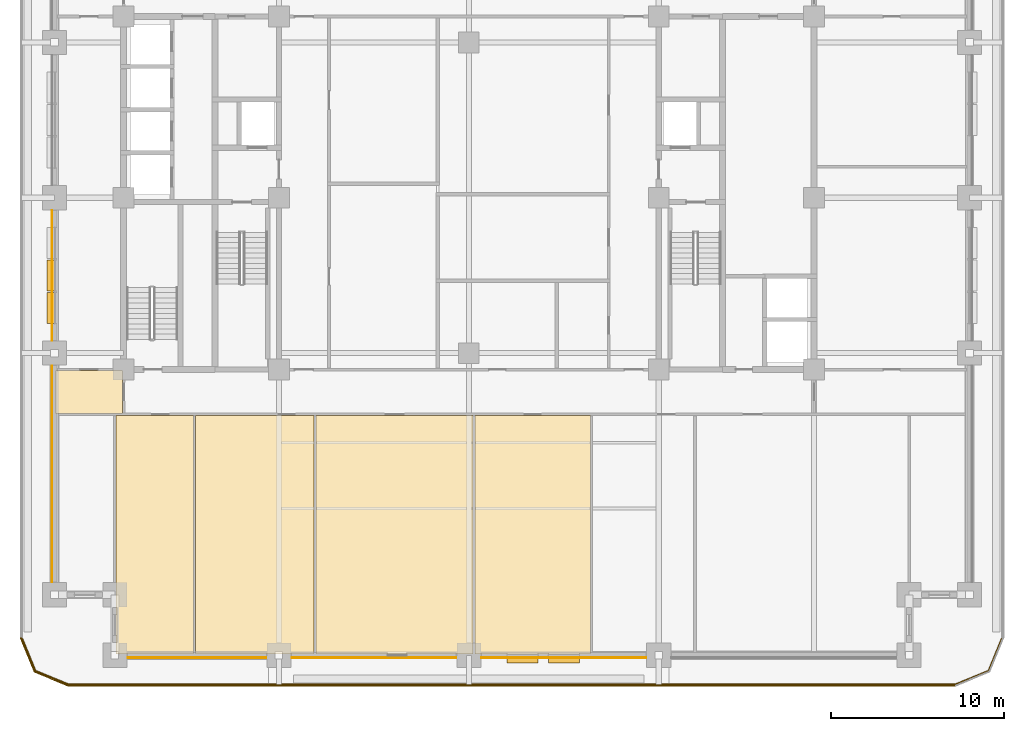
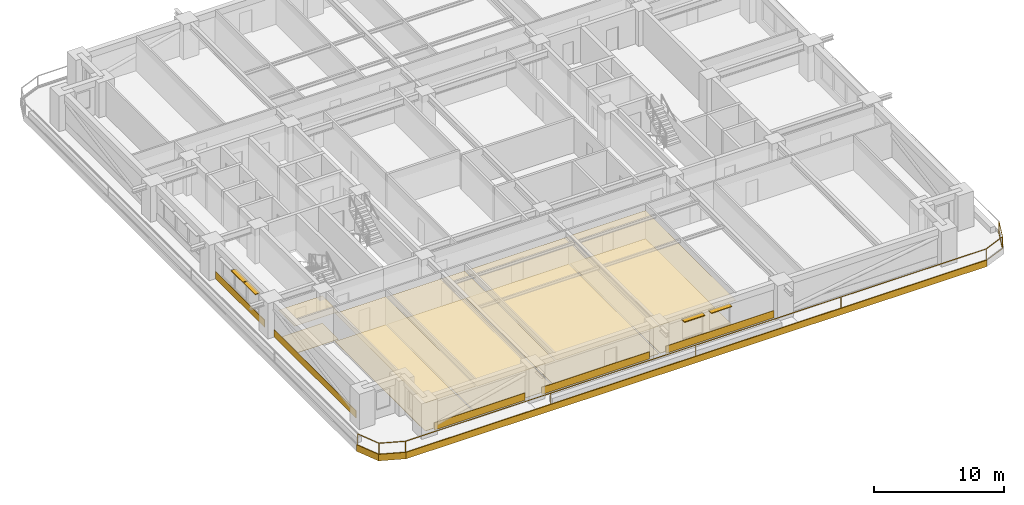
# One storey, part 7 of 14: 18 coverings, 4 shading devices, 1 railing.
"""IFC4 building model written with IfcOpenShell, lengths in metres."""

import ifcopenshell
import ifcopenshell.guid

model = None  # the IFC model being written
_history = None  # IfcOwnerHistory: only IFC2X3 demands one
_inside = {}  # id of a spatial element -> (the spatial element, [elements in it])
_under = {}  # id of a project, library or spatial element -> (it, [spatial elements below it])
_declared = {}  # id of a project -> (the project, [libraries it declares])
_typed = {}  # id of a type object -> (the type object, [elements of that type])
_made_of = {}  # id of a material, layer set ... -> (it, [elements and type objects made of it])


def new_model(schema):
    """Start an empty IFC model of exactly this schema.

    Asked for "IFC4X3", IfcOpenShell would pick the latest addendum, in which some entities
    have other attributes; the version numbers below select the first issue.
    IFC2X3 requires an IfcOwnerHistory on every rooted entity: one is made here for all.
    """
    global model, _history
    if schema == "IFC4X3":
        model = ifcopenshell.file(schema_version=(4, 3, 0, 0))
    else:
        model = ifcopenshell.file(schema=schema)
    _inside.clear()
    _under.clear()
    _declared.clear()
    _typed.clear()
    _made_of.clear()
    _history = None
    if model.schema == "IFC2X3":
        org = make("IfcOrganization", Name="unknown")
        user = make(
            "IfcPersonAndOrganization",
            ThePerson=make("IfcPerson", FamilyName="unknown"),
            TheOrganization=org,
        )
        app = make(
            "IfcApplication",
            ApplicationDeveloper=org,
            Version="unknown",
            ApplicationFullName="unknown",
            ApplicationIdentifier="unknown",
        )
        _history = make(
            "IfcOwnerHistory",
            OwningUser=user,
            OwningApplication=app,
            ChangeAction="ADDED",
            CreationDate=0,
        )
    return model


def make(cls, **values):
    """One entity of the class cls with the attributes given. An attribute that is None is left unset."""
    return model.create_entity(
        cls, **{name: value for name, value in values.items() if value is not None}
    )


def rooted(cls, **values):
    """An entity with a GlobalId (a new one), such as an element, a storey or a relation."""
    return make(cls, GlobalId=ifcopenshell.guid.new(), OwnerHistory=_history, **values)


def si_unit(unit_type, name, prefix=None):
    """IfcSIUnit, for example si_unit("LENGTHUNIT", "METRE", prefix="MILLI")."""
    return make("IfcSIUnit", UnitType=unit_type, Prefix=prefix, Name=name)


def assignment(units):
    """IfcUnitAssignment: the units of a project."""
    return None if units is None else make("IfcUnitAssignment", Units=units)


def point(xyz):
    """IfcCartesianPoint."""
    return None if xyz is None else make("IfcCartesianPoint", Coordinates=xyz)


def direction(xyz):
    """IfcDirection."""
    return None if xyz is None else make("IfcDirection", DirectionRatios=xyz)


def frame(location, z_axis=None, x_axis=None):
    """IfcAxis2Placement3D, a coordinate frame: its origin and axes. An axis left out is left unset."""
    return make(
        "IfcAxis2Placement3D",
        Location=point(location),
        Axis=direction(z_axis),
        RefDirection=direction(x_axis),
    )


def frame_2d(location, x_axis=None):
    """IfcAxis2Placement2D, a coordinate frame in the plane: its origin and x axis."""
    return make(
        "IfcAxis2Placement2D", Location=point(location), RefDirection=direction(x_axis)
    )


def origin():
    """The frame at (0, 0, 0) with its axes left unset."""
    return frame((0.0, 0.0, 0.0))


def origin_2d():
    """The frame at (0, 0) in the plane with its x axis left unset."""
    return frame_2d((0.0, 0.0))


def place(relative_to, where):
    """IfcLocalPlacement: puts the frame where relative to a parent placement (None: the world)."""
    return make(
        "IfcLocalPlacement", PlacementRelTo=relative_to, RelativePlacement=where
    )


def context(
    kind, dimensions, precision=None, world=None, true_north=None, identifier=None
):
    """IfcGeometricRepresentationContext, for example the 3D "Model" context."""
    return make(
        "IfcGeometricRepresentationContext",
        ContextIdentifier=identifier,
        ContextType=kind,
        CoordinateSpaceDimension=dimensions,
        Precision=precision,
        WorldCoordinateSystem=world,
        TrueNorth=true_north,
    )


def subcontext(parent, identifier, kind, view, scale=None):
    """IfcGeometricRepresentationSubContext, for example "Body" below "Model"."""
    return make(
        "IfcGeometricRepresentationSubContext",
        ContextIdentifier=identifier,
        ContextType=kind,
        ParentContext=parent,
        TargetScale=scale,
        TargetView=view,
    )


def project(units=None, contexts=None):
    """IfcProject with its units and contexts."""
    return rooted(
        "IfcProject",
        Name="project",
        RepresentationContexts=contexts,
        UnitsInContext=assignment(units),
    )


def spatial(cls, under=None, at=None, **own):
    """A site, building, storey or space (cls), placed at a placement, below another one or the project."""
    s = rooted(cls, ObjectPlacement=at, **own)
    if under is not None:
        _under.setdefault(under.id(), (under, []))[1].append(s)
    return s


def polyline(points):
    """IfcPolyline through the points."""
    return make("IfcPolyline", Points=[point(p) for p in points])


def profile(cls, at=None, kind="AREA", **sizes):
    """A parametric profile (cls). Its sizes go by their IFC names, for example OverallWidth=200.0."""
    return make(cls, ProfileType=kind, Position=at, **sizes)


def rectangle(**sizes):
    """IfcRectangleProfileDef."""
    return profile("IfcRectangleProfileDef", **sizes)


def outline(outer, holes=None, kind="AREA"):
    """IfcArbitraryClosedProfileDef: a profile drawn as a closed curve; with holes, ...WithVoids."""
    if holes is None:
        return make("IfcArbitraryClosedProfileDef", ProfileType=kind, OuterCurve=outer)
    return make(
        "IfcArbitraryProfileDefWithVoids",
        ProfileType=kind,
        OuterCurve=outer,
        InnerCurves=holes,
    )


def extrude(swept, where, along, depth):
    """IfcExtrudedAreaSolid: the profile swept, set in the frame where, extruded along a direction by depth."""
    return make(
        "IfcExtrudedAreaSolid",
        SweptArea=swept,
        Position=where,
        ExtrudedDirection=direction(along),
        Depth=depth,
    )


def shape(context_of_items, identifier, shape_type, items):
    """IfcShapeRepresentation: the items that make up one representation, for example the "Body"."""
    return make(
        "IfcShapeRepresentation",
        ContextOfItems=context_of_items,
        RepresentationIdentifier=identifier,
        RepresentationType=shape_type,
        Items=items,
    )


def material(Name=None, Category=None):
    """IfcMaterial."""
    return make("IfcMaterial", Name=Name, Category=Category)


def layer(
    of_material, thickness, ventilated=None, Name=None, Category=None, Priority=None
):
    """IfcMaterialLayer: one layer of a wall or slab, of a material (None: an air gap)."""
    return make(
        "IfcMaterialLayer",
        Material=of_material,
        LayerThickness=thickness,
        IsVentilated=ventilated,
        Name=Name,
        Category=Category,
        Priority=Priority,
    )


def layer_set(layers, Name=None):
    """IfcMaterialLayerSet."""
    return make("IfcMaterialLayerSet", MaterialLayers=layers, LayerSetName=Name)


def made_of(thing, what):
    """Note that an element or type object is made of a material, layer set ...; save() writes the relation."""
    if what is not None:
        _made_of.setdefault(what.id(), (what, []))[1].append(thing)
    return thing


def type_object(cls, material=None, **own):
    """A type object (cls), such as IfcWallType, which elements share."""
    return made_of(rooted(cls, **own), material)


def element(
    cls,
    number,
    at=None,
    inside=None,
    cuts=None,
    type_object=None,
    material=None,
    context=None,
    identifier="Body",
    shape_type=None,
    held_by="IfcProductDefinitionShape",
    body=None,
    shapes=None,
    **own,
):
    """One element of the class cls, such as IfcWall. Its Tag is "e" and its number.

    at: its placement. inside: the storey or other place that contains it. cuts: it is an
    opening in that element (IfcRelVoidsElement). A single representation is given by context,
    identifier, shape_type and body (its items); several are given by shapes. held_by: the class
    of the entity that holds the representations. save() writes the other relations.
    """
    e = rooted(cls, Tag="e%d" % number, ObjectPlacement=at, **own)
    if body is not None:
        shapes = [shape(context, identifier, shape_type, body)]
    if shapes is not None:
        e.Representation = make(held_by, Representations=shapes)
    if inside is not None:
        _inside.setdefault(inside.id(), (inside, []))[1].append(e)
    if cuts is not None:
        rooted(
            "IfcRelVoidsElement", RelatingBuildingElement=cuts, RelatedOpeningElement=e
        )
    if type_object is not None:
        _typed.setdefault(type_object.id(), (type_object, []))[1].append(e)
    return made_of(e, material)


def aggregate(whole, parts):
    """IfcRelAggregates: a whole, such as a stair, and the parts it consists of."""
    return rooted("IfcRelAggregates", RelatingObject=whole, RelatedObjects=parts)


def save(model, path):
    """Write the relations noted so far, then the file.

    IfcRelAggregates (storeys below a building ...), IfcRelContainedInSpatialStructure (elements
    in a storey), IfcRelDefinesByType, IfcRelAssociatesMaterial and IfcRelDeclares: one each for
    every whole, place, type object, material and project.
    """
    for whole, parts in _under.values():
        aggregate(whole, parts)
    for where, things in _inside.values():
        rooted(
            "IfcRelContainedInSpatialStructure",
            RelatedElements=things,
            RelatingStructure=where,
        )
    for kind, things in _typed.values():
        rooted("IfcRelDefinesByType", RelatedObjects=things, RelatingType=kind)
    for what, things in _made_of.values():
        rooted("IfcRelAssociatesMaterial", RelatedObjects=things, RelatingMaterial=what)
    for by, libraries in _declared.values():
        rooted("IfcRelDeclares", RelatingContext=by, RelatedDefinitions=libraries)
    model.write(path)


model = new_model("IFC4")

# Units and contexts
model_context = context("Model", 3, precision=1e-05, world=origin(), true_north=direction((0.0, 1.0)))
body_context = subcontext(model_context, "Body", "Model", "MODEL_VIEW")
ifc_project = project(units=[si_unit("LENGTHUNIT", "METRE"), si_unit("AREAUNIT", "SQUARE_METRE"), si_unit("VOLUMEUNIT", "CUBIC_METRE"), si_unit("PLANEANGLEUNIT", "RADIAN"), si_unit("MASSUNIT", "GRAM", prefix="KILO")], contexts=[model_context])

# Site, building, storey
site_placement = place(None, origin())
site = spatial("IfcSite", under=ifc_project, at=site_placement, CompositionType="ELEMENT")
building_placement = place(site_placement, origin())
building = spatial("IfcBuilding", under=site, at=building_placement, Name="Zulmaris Gate Convention Tower", CompositionType="ELEMENT")
storey_placement = place(building_placement, frame((0.0, 0.0, 30.77001953125)))
storey = spatial("IfcBuildingStorey", under=building, at=storey_placement, Name="L06", CompositionType="ELEMENT", Elevation=30.77001953125)

# Coverings
ifc_material_1 = material(Name="Precast concrete C40/50", Category="concrete")
ifc_layer_1 = layer(ifc_material_1, 0.0400390625, Name="Precast concrete C40/50")
ifc_layer_set_1 = layer_set([ifc_layer_1], Name="Precast concrete C40/50")
covering_type_1 = type_object("IfcCoveringType", Name="CLAD-SPANDREL-PRECAST", PredefinedType="CLADDING", material=ifc_layer_set_1)
covering_1_placement = place(storey_placement, frame((-19.77001953125, -26.64990234375, 0.0), z_axis=(0.0, 0.0, 1.0), x_axis=(1.0, 0.0, 0.0)))
element("IfcCovering", 1, at=covering_1_placement, inside=storey, type_object=covering_type_1, Name="CLD-L06-S-0_0", PredefinedType="CLADDING", context=body_context, shape_type="SweptSolid", body=[
    extrude(rectangle(XDim=8.0400390625, YDim=0.0400390625, at=frame_2d((4.02001953125, 0.0))), origin(), (0.0, 0.0, 1.0), 0.679931640625),
])
for number, where, z_axis, x_axis, name in (
    (2, (-10.27001953125, -26.64990234375, 0.0), (0.0, 0.0, 1.0), (1.0, 0.0, 0.0), "CLD-L06-S-1_0"),
    (3, (0.72998046875, -26.64990234375, 0.0), (0.0, 0.0, 1.0), (1.0, 0.0, 0.0), "CLD-L06-S-2_0"),
):
    element("IfcCovering", number, at=place(storey_placement, frame(where, z_axis=z_axis, x_axis=x_axis)), inside=storey, type_object=covering_type_1, Name=name, PredefinedType="CLADDING", context=body_context, shape_type="SweptSolid", body=[
        extrude(rectangle(XDim=9.5400390625, YDim=0.0400390625, at=frame_2d((4.77001953125, 0.0))), origin(), (0.0, 0.0, 1.0), 0.679931640625),
    ])
covering_2_placement = place(storey_placement, frame((-24.14990234375, -9.72998046875, 0.0), z_axis=(0.0, 0.0, 1.0), x_axis=(0.0, -1.0, 0.0)))
element("IfcCovering", 4, at=covering_2_placement, inside=storey, type_object=covering_type_1, Name="CLD-L06-W-0_0", PredefinedType="CLADDING", context=body_context, shape_type="SweptSolid", body=[
    extrude(rectangle(XDim=12.5400390625, YDim=0.0400390625, at=frame_2d((6.27001953125, 0.0))), origin(), (0.0, 0.0, 1.0), 0.679931640625),
])
covering_3_placement = place(storey_placement, frame((-24.14990234375, -0.72998046875, 0.0), z_axis=(0.0, 0.0, 1.0), x_axis=(0.0, -1.0, 0.0)))
element("IfcCovering", 5, at=covering_3_placement, inside=storey, type_object=covering_type_1, Name="CLD-L06-W-1_0", PredefinedType="CLADDING", context=body_context, shape_type="SweptSolid", body=[
    extrude(rectangle(XDim=7.5400390625, YDim=0.0400390625, at=frame_2d((3.77001953125, 0.0))), origin(), (0.0, 0.0, 1.0), 0.679931640625),
])
ifc_material_2 = material(Name="White Glazed Architectural Precast Concrete C40/50", Category="concrete")
ifc_layer_2 = layer(ifc_material_2, 0.080078125, Name="White Glazed Architectural Precast Concrete C40/50")
ifc_layer_set_2 = layer_set([ifc_layer_2], Name="White Glazed Architectural Precast Concrete C40/50")
covering_type_2 = type_object("IfcCoveringType", Name="CLAD-TRAY-FASCIA", PredefinedType="CLADDING", material=ifc_layer_set_2)
covering_4_placement = place(storey_placement, frame((-25.962890625, -25.484619140625, -0.489990234375), z_axis=(0.0, 0.0, 1.0), x_axis=(0.382656984709, -0.923890487046, 0.0)))
element("IfcCovering", 6, at=covering_4_placement, inside=storey, type_object=covering_type_2, Name="FSC-L06-TR-00", PredefinedType="CLADDING", context=body_context, shape_type="SweptSolid", body=[
    extrude(rectangle(XDim=2.14306640625, YDim=0.080078125, at=frame_2d((1.071533203125, 0.0))), origin(), (0.0, 0.0, 1.0), 0.60986328125),
])
covering_5_placement = place(storey_placement, frame((-25.16455078125, -27.44287109375, -0.489990234375), z_axis=(0.0, 0.0, 1.0), x_axis=(0.923873803533, -0.382697263049, 0.0)))
element("IfcCovering", 7, at=covering_5_placement, inside=storey, type_object=covering_type_2, Name="FSC-L06-TR-01", PredefinedType="CLADDING", context=body_context, shape_type="SweptSolid", body=[
    extrude(rectangle(XDim=2.142822265625, YDim=0.080078125, at=frame_2d((1.0712890625, 0.0))), origin(), (0.0, 0.0, 1.0), 0.60986328125),
])
covering_6_placement = place(storey_placement, frame((-23.199951171875, -28.260009765625, -0.489990234375), z_axis=(0.0, 0.0, 1.0), x_axis=(1.0, 0.0, 0.0)))
element("IfcCovering", 8, at=covering_6_placement, inside=storey, type_object=covering_type_2, Name="FSC-L06-TR-02", PredefinedType="CLADDING", context=body_context, shape_type="SweptSolid", body=[
    extrude(rectangle(XDim=51.39990234375, YDim=0.080078125, at=frame_2d((25.699951171875, 0.0))), origin(), (0.0, 0.0, 1.0), 0.60986328125),
])
ifc_material_3 = material(Name="Mineral Fibre Acoustic Ceiling Tile")
ifc_layer_3 = layer(ifc_material_3, 0.02001953125, Name="Mineral Fibre Acoustic Ceiling Tile")
ifc_layer_set_3 = layer_set([ifc_layer_3], Name="Mineral Fibre Acoustic Ceiling Tile")
covering_type_3 = type_object("IfcCoveringType", Name="CLG-ACOUSTIC-600", PredefinedType="CEILING", material=ifc_layer_set_3)
covering_7_placement = place(storey_placement, frame((0.0, 0.0, 2.630126953125)))
element("IfcCovering", 9, at=covering_7_placement, inside=storey, type_object=covering_type_3, Name="CLG-L06-R36", PredefinedType="CEILING", context=body_context, shape_type="SweptSolid", body=[
    extrude(outline(polyline([(-20.43994140625, -26.43994140625), (-15.9599609375, -26.43994140625), (-15.9599609375, -12.610107421875), (-20.43994140625, -12.610107421875), (-20.43994140625, -26.43994140625)])), origin(), (0.0, 0.0, 1.0), 0.02001953125),
])
covering_8_placement = place(storey_placement, frame((0.0, 0.0, 2.578125)))
element("IfcCovering", 10, at=covering_8_placement, inside=storey, type_object=covering_type_3, Name="CLG-L06-R37", PredefinedType="CEILING", context=body_context, shape_type="SweptSolid", body=[
    extrude(outline(polyline([(-15.840087890625, -26.43994140625), (-8.9599609375, -26.43994140625), (-8.9599609375, -12.610107421875), (-15.840087890625, -12.610107421875), (-15.840087890625, -26.43994140625)])), origin(), (0.0, 0.0, 1.0), 0.02001953125),
])
covering_9_placement = place(storey_placement, frame((0.0, 0.0, 2.578125)))
element("IfcCovering", 11, at=covering_9_placement, inside=storey, type_object=covering_type_3, Name="CLG-L06-R38", PredefinedType="CEILING", context=body_context, shape_type="SweptSolid", body=[
    extrude(outline(polyline([(-8.840087890625, -26.43994140625), (0.239990234375, -26.43994140625), (0.239990234375, -12.610107421875), (-8.840087890625, -12.610107421875), (-8.840087890625, -26.43994140625)])), origin(), (0.0, 0.0, 1.0), 0.02001953125),
])
covering_10_placement = place(storey_placement, frame((0.0, 0.0, 2.630126953125)))
element("IfcCovering", 12, at=covering_10_placement, inside=storey, type_object=covering_type_3, Name="CLG-L06-R39", PredefinedType="CEILING", context=body_context, shape_type="SweptSolid", body=[
    extrude(outline(polyline([(0.360107421875, -26.43994140625), (7.0400390625, -26.43994140625), (7.0400390625, -12.610107421875), (0.360107421875, -12.610107421875), (0.360107421875, -26.43994140625)])), origin(), (0.0, 0.0, 1.0), 0.02001953125),
])
covering_11_placement = place(storey_placement, frame((0.0, 0.0, 2.578125)))
element("IfcCovering", 13, at=covering_11_placement, inside=storey, type_object=covering_type_3, Name="CLG-L06-R49", PredefinedType="CEILING", context=body_context, shape_type="SweptSolid", body=[
    extrude(outline(polyline([(-23.93994140625, -12.489990234375), (-20.06005859375, -12.489990234375), (-20.06005859375, -10.010009765625), (-23.93994140625, -10.010009765625), (-23.93994140625, -12.489990234375)])), origin(), (0.0, 0.0, 1.0), 0.02001953125),
])
ifc_material_4 = material(Name="Woven Acoustic Wool Carpet Tile")
ifc_layer_4 = layer(ifc_material_4, 0.02001953125, Name="Woven Acoustic Wool Carpet Tile")
ifc_layer_set_4 = layer_set([ifc_layer_4], Name="Woven Acoustic Wool Carpet Tile")
covering_type_4 = type_object("IfcCoveringType", Name="FLR-CARPET-12", PredefinedType="FLOORING", material=ifc_layer_set_4)
covering_12_placement = place(storey_placement, origin())
element("IfcCovering", 14, at=covering_12_placement, inside=storey, type_object=covering_type_4, Name="FLR-L06-R36", PredefinedType="FLOORING", context=body_context, shape_type="SweptSolid", body=[
    extrude(outline(polyline([(-20.43994140625, -26.43994140625), (-15.9599609375, -26.43994140625), (-15.9599609375, -12.610107421875), (-20.43994140625, -12.610107421875), (-20.43994140625, -26.43994140625)])), origin(), (0.0, 0.0, 1.0), 0.02001953125),
])
covering_13_placement = place(storey_placement, origin())
element("IfcCovering", 15, at=covering_13_placement, inside=storey, type_object=covering_type_4, Name="FLR-L06-R37", PredefinedType="FLOORING", context=body_context, shape_type="SweptSolid", body=[
    extrude(outline(polyline([(-15.840087890625, -26.43994140625), (-8.9599609375, -26.43994140625), (-8.9599609375, -12.610107421875), (-15.840087890625, -12.610107421875), (-15.840087890625, -26.43994140625)])), origin(), (0.0, 0.0, 1.0), 0.02001953125),
])
covering_14_placement = place(storey_placement, origin())
element("IfcCovering", 16, at=covering_14_placement, inside=storey, type_object=covering_type_4, Name="FLR-L06-R38", PredefinedType="FLOORING", context=body_context, shape_type="SweptSolid", body=[
    extrude(outline(polyline([(-8.840087890625, -26.43994140625), (0.239990234375, -26.43994140625), (0.239990234375, -12.610107421875), (-8.840087890625, -12.610107421875), (-8.840087890625, -26.43994140625)])), origin(), (0.0, 0.0, 1.0), 0.02001953125),
])
covering_15_placement = place(storey_placement, origin())
element("IfcCovering", 17, at=covering_15_placement, inside=storey, type_object=covering_type_4, Name="FLR-L06-R39", PredefinedType="FLOORING", context=body_context, shape_type="SweptSolid", body=[
    extrude(outline(polyline([(0.360107421875, -26.43994140625), (7.0400390625, -26.43994140625), (7.0400390625, -12.610107421875), (0.360107421875, -12.610107421875), (0.360107421875, -26.43994140625)])), origin(), (0.0, 0.0, 1.0), 0.02001953125),
])
covering_16_placement = place(storey_placement, origin())
element("IfcCovering", 18, at=covering_16_placement, inside=storey, type_object=covering_type_4, Name="FLR-L06-R49", PredefinedType="FLOORING", context=body_context, shape_type="SweptSolid", body=[
    extrude(outline(polyline([(-23.93994140625, -12.489990234375), (-20.06005859375, -12.489990234375), (-20.06005859375, -10.010009765625), (-23.93994140625, -10.010009765625), (-23.93994140625, -12.489990234375)])), origin(), (0.0, 0.0, 1.0), 0.02001953125),
])

# Railing
ifc_material_5 = material(Name="Laminated Glass and Stainless Steel", Category="steel")
railing_type = type_object("IfcRailingType", Name="RL-BALC-1150", PredefinedType="BALUSTRADE", material=ifc_material_5)
railing_placement = place(storey_placement, frame((-25.8798828125, -25.5, -0.0400390625)))
element("IfcRailing", 19, at=railing_placement, inside=storey, type_object=railing_type, Name="RL-L06-BALC-S", PredefinedType="BALUSTRADE", context=body_context, shape_type="SweptSolid", body=[
    extrude(rectangle(XDim=0.048095703125, YDim=0.048095703125, at=origin_2d()), frame((0.0, 0.0, 1.1259765625), z_axis=(0.382670664694, -0.92388482095, 0.0), x_axis=(0.92388482095, 0.382670664694, 0.0)), (0.0, 0.0, 1.0), 2.051025390625),
    extrude(rectangle(XDim=0.048095703125, YDim=0.048095703125, at=origin_2d()), frame((0.0, 0.0, 0.02392578125), z_axis=(0.382670664694, -0.92388482095, 0.0), x_axis=(0.92388482095, 0.382670664694, 0.0)), (0.0, 0.0, 1.0), 2.051025390625),
    extrude(rectangle(XDim=0.048095703125, YDim=0.048095703125, at=origin_2d()), frame((0.784912109375, -1.89501953125, 1.1259765625), z_axis=(0.92388482095, -0.382670664694, 0.0), x_axis=(0.382670664694, 0.92388482095, 0.0)), (0.0, 0.0, 1.0), 2.051025390625),
    extrude(rectangle(XDim=0.048095703125, YDim=0.048095703125, at=origin_2d()), frame((0.784912109375, -1.89501953125, 0.02392578125), z_axis=(0.92388482095, -0.382670664694, 0.0), x_axis=(0.382670664694, 0.92388482095, 0.0)), (0.0, 0.0, 1.0), 2.051025390625),
    extrude(rectangle(XDim=0.048095703125, YDim=0.048095703125, at=origin_2d()), frame((2.679931640625, -2.679931640625, 1.1259765625), z_axis=(1.0, 0.0, 0.0), x_axis=(0.0, 1.0, 0.0)), (0.0, 0.0, 1.0), 51.39990234375),
    extrude(rectangle(XDim=0.048095703125, YDim=0.048095703125, at=origin_2d()), frame((2.679931640625, -2.679931640625, 0.02392578125), z_axis=(1.0, 0.0, 0.0), x_axis=(0.0, 1.0, 0.0)), (0.0, 0.0, 1.0), 51.39990234375),
    extrude(rectangle(XDim=0.048095703125, YDim=0.048095703125, at=origin_2d()), frame((54.079833984375, -2.679931640625, 1.1259765625), z_axis=(0.92388482095, 0.382670664694, 0.0), x_axis=(-0.382670664694, 0.92388482095, 0.0)), (0.0, 0.0, 1.0), 2.051025390625),
    extrude(rectangle(XDim=0.048095703125, YDim=0.048095703125, at=origin_2d()), frame((54.079833984375, -2.679931640625, 0.02392578125), z_axis=(0.92388482095, 0.382670664694, 0.0), x_axis=(-0.382670664694, 0.92388482095, 0.0)), (0.0, 0.0, 1.0), 2.051025390625),
    extrude(rectangle(XDim=0.048095703125, YDim=0.048095703125, at=origin_2d()), frame((55.974853515625, -1.89501953125, 1.1259765625), z_axis=(0.382670664694, 0.92388482095, 0.0), x_axis=(-0.92388482095, 0.382670664694, 0.0)), (0.0, 0.0, 1.0), 2.051025390625),
    extrude(rectangle(XDim=0.048095703125, YDim=0.048095703125, at=origin_2d()), frame((55.974853515625, -1.89501953125, 0.02392578125), z_axis=(0.382670664694, 0.92388482095, 0.0), x_axis=(-0.92388482095, 0.382670664694, 0.0)), (0.0, 0.0, 1.0), 2.051025390625),
    extrude(rectangle(XDim=0.0419921875, YDim=0.0419921875, at=origin_2d()), origin(), (0.0, 0.0, 1.0), 1.101806640625),
    extrude(rectangle(XDim=0.0419921875, YDim=0.0419921875, at=origin_2d()), frame((0.784912109375, -1.89501953125, 0.0)), (0.0, 0.0, 1.0), 1.101806640625),
    extrude(rectangle(XDim=0.0419921875, YDim=0.0419921875, at=origin_2d()), frame((2.679931640625, -2.679931640625, 0.0)), (0.0, 0.0, 1.0), 1.101806640625),
    extrude(rectangle(XDim=0.0419921875, YDim=0.0419921875, at=origin_2d()), frame((15.52978515625, -2.679931640625, 0.0)), (0.0, 0.0, 1.0), 1.101806640625),
    extrude(rectangle(XDim=0.0419921875, YDim=0.0419921875, at=origin_2d()), frame((28.3798828125, -2.679931640625, 0.0)), (0.0, 0.0, 1.0), 1.101806640625),
    extrude(rectangle(XDim=0.0419921875, YDim=0.0419921875, at=origin_2d()), frame((41.22998046875, -2.679931640625, 0.0)), (0.0, 0.0, 1.0), 1.101806640625),
    extrude(rectangle(XDim=0.0419921875, YDim=0.0419921875, at=origin_2d()), frame((54.079833984375, -2.679931640625, 0.0)), (0.0, 0.0, 1.0), 1.101806640625),
    extrude(rectangle(XDim=0.0419921875, YDim=0.0419921875, at=origin_2d()), frame((55.974853515625, -1.89501953125, 0.0)), (0.0, 0.0, 1.0), 1.101806640625),
    extrude(rectangle(XDim=0.0419921875, YDim=0.0419921875, at=origin_2d()), frame((56.759765625, 0.0, 0.0)), (0.0, 0.0, 1.0), 1.101806640625),
])

# Shading devices
ifc_material_6 = material(Name="Glazed Ceramic Terracotta", Category="masonry")
ifc_layer_5 = layer(ifc_material_6, 0.070068359375, Name="Glazed Ceramic Terracotta")
ifc_layer_set_5 = layer_set([ifc_layer_5], Name="Glazed Ceramic Terracotta")
shading_device_type = type_object("IfcShadingDeviceType", Name="SHD-SUNSHADE-TC", PredefinedType="AWNING", material=ifc_layer_set_5)
for number, where, z_axis, x_axis, name in (
    (20, (2.215087890625, -26.719970703125, 2.530029296875), (0.0, 0.0, 1.0), (1.0, 0.0, 0.0), "SHD-EW-L06-S-2_0-1"),
    (21, (4.60009765625, -26.719970703125, 2.530029296875), (0.0, 0.0, 1.0), (1.0, 0.0, 0.0), "SHD-EW-L06-S-2_0-2"),
    (22, (-24.219970703125, -3.60009765625, 2.530029296875), (0.0, 0.0, 1.0), (0.0, -1.0, 0.0), "SHD-EW-L06-W-1_0-2"),
    (23, (-24.219970703125, -5.485107421875, 2.530029296875), (0.0, 0.0, 1.0), (0.0, -1.0, 0.0), "SHD-EW-L06-W-1_0-3"),
):
    element("IfcShadingDevice", number, at=place(storey_placement, frame(where, z_axis=z_axis, x_axis=x_axis)), inside=storey, type_object=shading_device_type, Name=name, PredefinedType="AWNING", context=body_context, shape_type="SweptSolid", body=[
        extrude(rectangle(XDim=1.7998046875, YDim=0.43994140625, at=frame_2d((0.89990234375, 0.0))), origin(), (0.0, 0.0, 1.0), 0.070068359375),
    ])

save(model, "model.ifc")
